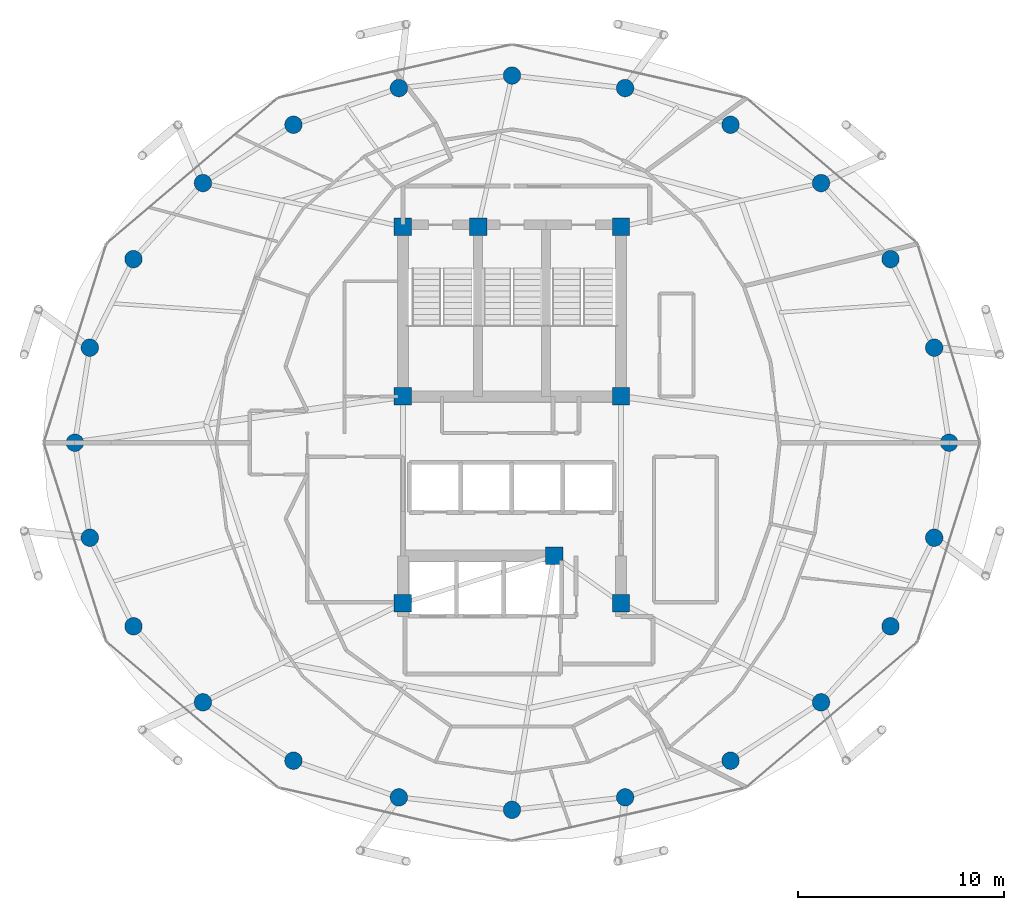
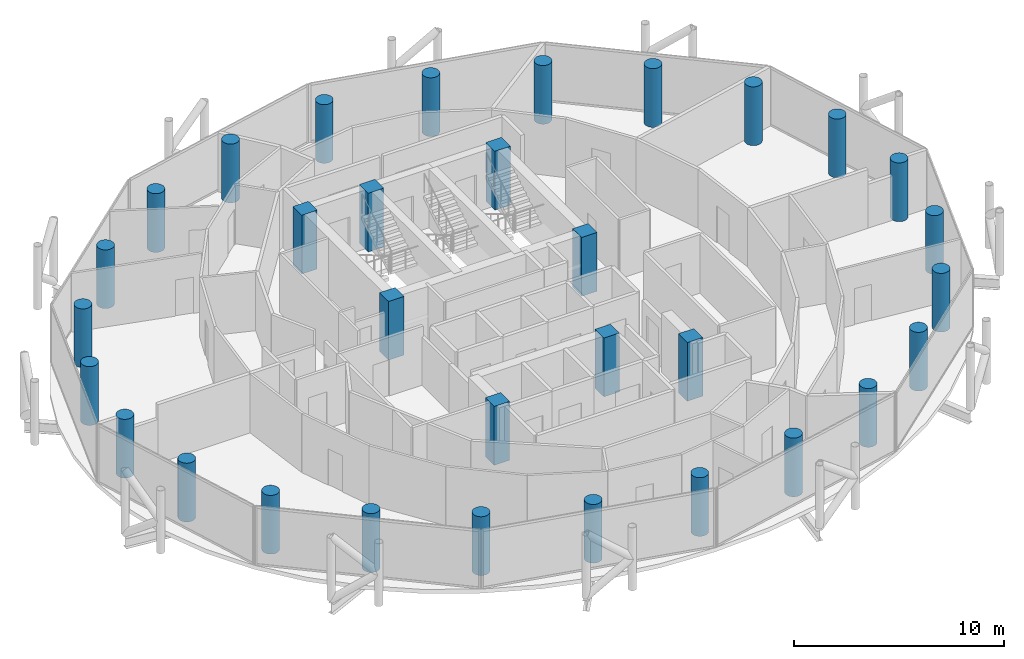
# One storey, part 1 of 27: 32 columns.
"""IFC4 building model written with IfcOpenShell, lengths in metres."""

from ifc_helpers import new_model, si_unit, direction, frame, origin, origin_2d, place, context, subcontext, project, spatial, rectangle, circle, extrude, material, material_profile, profile_set, type_object, element, save


model = new_model("IFC4")

# Units and contexts
model_context = context("Model", 3, precision=1e-05, world=origin(), true_north=direction((0.0, 1.0)))
body_context = subcontext(model_context, "Body", "Model", "MODEL_VIEW")
ifc_project = project(units=[si_unit("LENGTHUNIT", "METRE"), si_unit("AREAUNIT", "SQUARE_METRE"), si_unit("VOLUMEUNIT", "CUBIC_METRE"), si_unit("PLANEANGLEUNIT", "RADIAN"), si_unit("MASSUNIT", "GRAM", prefix="KILO")], contexts=[model_context])

# Site, building, storey
site_placement = place(None, origin())
site = spatial("IfcSite", under=ifc_project, at=site_placement, CompositionType="ELEMENT")
building_placement = place(site_placement, origin())
building = spatial("IfcBuilding", under=site, at=building_placement, Name="Nuhasar Tower", CompositionType="ELEMENT")
storey_placement = place(building_placement, frame((0.0, 0.0, 226.39990234375)))
storey = spatial("IfcBuildingStorey", under=building, at=storey_placement, Name="L55", CompositionType="ELEMENT", Elevation=226.39990234375)

# Columns
ifc_material = material(Name="Concrete C55/67", Category="concrete")
ifc_material_profile_1 = material_profile(ifc_material, circle(Radius=0.425048828125, at=origin_2d()), Name="CFT850")
ifc_profile_set_1 = profile_set([ifc_material_profile_1], Name="Concrete C55/67")
column_type_1 = type_object("IfcColumnType", Name="COL-CFT-850", PredefinedType="COLUMN", material=ifc_profile_set_1)
for number, where, z_axis, x_axis, name in (
    (1, (60.25, 26.800048828125, 0.0), (0.0, 0.0, 1.0), (1.0, 0.0, 0.0), "L55 Perimeter Composite Column TC-01"),
    (2, (59.52587890625, 31.419921875, 0.0), (0.0, 0.0, 1.0), (1.0, 0.0, 0.0), "L55 Perimeter Composite Column TC-02"),
    (3, (57.403076171875, 35.72509765625, 0.0), (0.0, 0.0, 1.0), (1.0, 0.0, 0.0), "L55 Perimeter Composite Column TC-03"),
    (4, (54.02587890625, 39.422119140625, 0.0), (0.0, 0.0, 1.0), (1.0, 0.0, 0.0), "L55 Perimeter Composite Column TC-04"),
    (5, (49.625, 42.259033203125, 0.0), (0.0, 0.0, 1.0), (1.0, 0.0, 0.0), "L55 Perimeter Composite Column TC-05"),
    (6, (44.5, 44.0419921875, 0.0), (0.0, 0.0, 1.0), (1.0, 0.0, 0.0), "L55 Perimeter Composite Column TC-06"),
    (7, (39.0, 44.64990234375, 0.0), (0.0, 0.0, 1.0), (1.0, 0.0, 0.0), "L55 Perimeter Composite Column TC-07"),
    (8, (33.5, 44.0419921875, 0.0), (0.0, 0.0, 1.0), (1.0, 0.0, 0.0), "L55 Perimeter Composite Column TC-08"),
    (9, (28.375, 42.259033203125, 0.0), (0.0, 0.0, 1.0), (1.0, 0.0, 0.0), "L55 Perimeter Composite Column TC-09"),
    (10, (23.97412109375, 39.422119140625, 0.0), (0.0, 0.0, 1.0), (1.0, 0.0, 0.0), "L55 Perimeter Composite Column TC-10"),
    (11, (20.596923828125, 35.72509765625, 0.0), (0.0, 0.0, 1.0), (1.0, 0.0, 0.0), "L55 Perimeter Composite Column TC-11"),
    (12, (18.47412109375, 31.419921875, 0.0), (0.0, 0.0, 1.0), (1.0, 0.0, 0.0), "L55 Perimeter Composite Column TC-12"),
    (13, (17.75, 26.800048828125, 0.0), (0.0, 0.0, 1.0), (1.0, 0.0, 0.0), "L55 Perimeter Composite Column TC-13"),
    (14, (18.47412109375, 22.179931640625, 0.0), (0.0, 0.0, 1.0), (1.0, 0.0, 0.0), "L55 Perimeter Composite Column TC-14"),
    (15, (20.596923828125, 17.875, 0.0), (0.0, 0.0, 1.0), (1.0, 0.0, 0.0), "L55 Perimeter Composite Column TC-15"),
    (16, (23.97412109375, 14.177978515625, 0.0), (0.0, 0.0, 1.0), (1.0, 0.0, 0.0), "L55 Perimeter Composite Column TC-16"),
    (17, (28.375, 11.341064453125, 0.0), (0.0, 0.0, 1.0), (1.0, 0.0, 0.0), "L55 Perimeter Composite Column TC-17"),
    (18, (33.5, 9.55810546875, 0.0), (0.0, 0.0, 1.0), (1.0, 0.0, 0.0), "L55 Perimeter Composite Column TC-18"),
    (19, (39.0, 8.949951171875, 0.0), (0.0, 0.0, 1.0), (1.0, 0.0, 0.0), "L55 Perimeter Composite Column TC-19"),
    (20, (44.5, 9.55810546875, 0.0), (0.0, 0.0, 1.0), (1.0, 0.0, 0.0), "L55 Perimeter Composite Column TC-20"),
    (21, (49.625, 11.341064453125, 0.0), (0.0, 0.0, 1.0), (1.0, 0.0, 0.0), "L55 Perimeter Composite Column TC-21"),
    (22, (54.02587890625, 14.177978515625, 0.0), (0.0, 0.0, 1.0), (1.0, 0.0, 0.0), "L55 Perimeter Composite Column TC-22"),
    (23, (57.403076171875, 17.875, 0.0), (0.0, 0.0, 1.0), (1.0, 0.0, 0.0), "L55 Perimeter Composite Column TC-23"),
    (24, (59.52587890625, 22.179931640625, 0.0), (0.0, 0.0, 1.0), (1.0, 0.0, 0.0), "L55 Perimeter Composite Column TC-24"),
):
    element("IfcColumn", number, at=place(storey_placement, frame(where, z_axis=z_axis, x_axis=x_axis)), inside=storey, type_object=column_type_1, Name=name, PredefinedType="COLUMN", context=body_context, shape_type="SweptSolid", body=[
        extrude(circle(Radius=0.425048828125, at=origin_2d()), origin(), (0.0, 0.0, 1.0), 3.41015625),
    ])
ifc_material_profile_2 = material_profile(ifc_material, rectangle(XDim=0.85009765625, YDim=0.85009765625, at=origin_2d()), Name="RC850X850")
ifc_profile_set_2 = profile_set([ifc_material_profile_2], Name="Concrete C55/67")
column_type_2 = type_object("IfcColumnType", Name="PIL-RC-850", PredefinedType="PILASTER", material=ifc_profile_set_2)
for number, where, z_axis, x_axis, name in (
    (25, (33.699951171875, 19.0, 0.0), (0.0, 0.0, 1.0), (1.0, 0.0, 0.0), "L55 Core Boundary Pilaster CC-01"),
    (26, (41.050048828125, 21.300048828125, 0.0), (0.0, 0.0, 1.0), (1.0, 0.0, 0.0), "L55 Core Boundary Pilaster CC-02"),
    (27, (44.300048828125, 19.0, 0.0), (0.0, 0.0, 1.0), (1.0, 0.0, 0.0), "L55 Core Boundary Pilaster CC-03"),
    (28, (44.300048828125, 29.050048828125, 0.0), (0.0, 0.0, 1.0), (1.0, 0.0, 0.0), "L55 Core Boundary Pilaster CC-04"),
    (29, (44.300048828125, 37.300048828125, 0.0), (0.0, 0.0, 1.0), (1.0, 0.0, 0.0), "L55 Core Boundary Pilaster CC-05"),
    (30, (37.35009765625, 37.300048828125, 0.0), (0.0, 0.0, 1.0), (1.0, 0.0, 0.0), "L55 Core Boundary Pilaster CC-06"),
    (31, (33.699951171875, 37.300048828125, 0.0), (0.0, 0.0, 1.0), (1.0, 0.0, 0.0), "L55 Core Boundary Pilaster CC-07"),
    (32, (33.699951171875, 29.050048828125, 0.0), (0.0, 0.0, 1.0), (1.0, 0.0, 0.0), "L55 Core Boundary Pilaster CC-08"),
):
    element("IfcColumn", number, at=place(storey_placement, frame(where, z_axis=z_axis, x_axis=x_axis)), inside=storey, type_object=column_type_2, Name=name, PredefinedType="PILASTER", context=body_context, shape_type="SweptSolid", body=[
        extrude(rectangle(XDim=0.85009765625, YDim=0.85009765625, at=origin_2d()), origin(), (0.0, 0.0, 1.0), 3.41015625),
    ])

save(model, "model.ifc")
